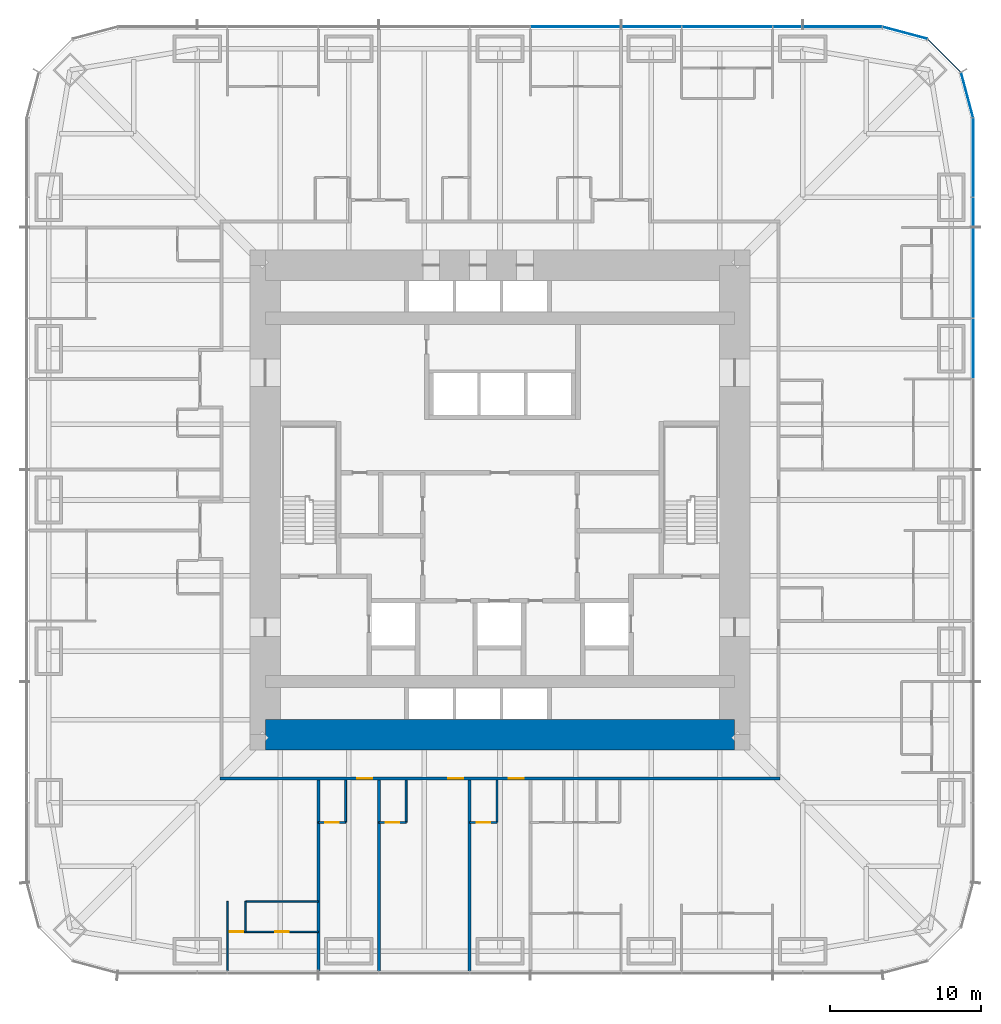
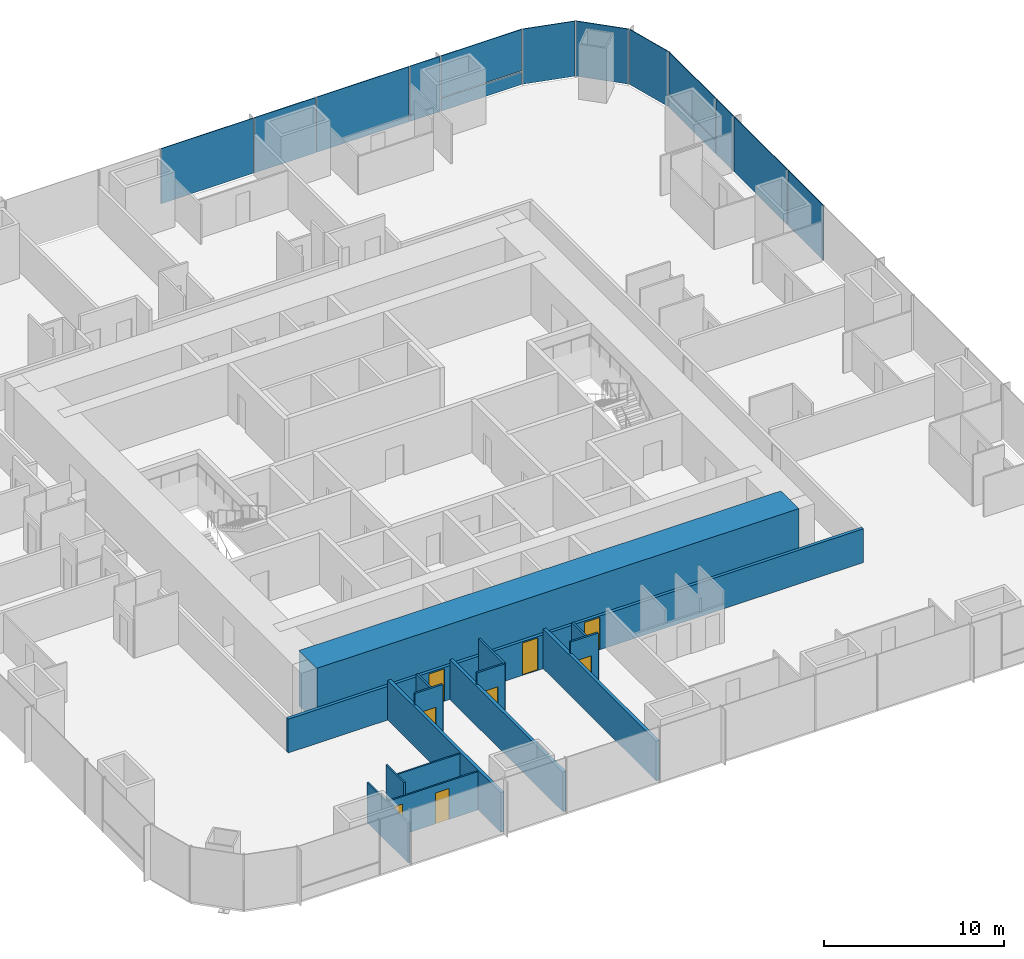
# One storey, part 11 of 17: 15 walls, 14 plates, 8 doors, 8 openings, 3 elements without a shape of their own.
"""IFC4 building model written with IfcOpenShell, lengths in metres."""

from ifc_helpers import new_model, si_unit, direction, frame, frame_2d, origin, origin_2d, place, context, subcontext, project, spatial, rectangle, extrude, material, layer, layer_set, type_object, element, fill, aggregate, save


model = new_model("IFC4")

# Units and contexts
model_context = context("Model", 3, precision=1e-05, world=origin(), true_north=direction((0.0, 1.0)))
body_context = subcontext(model_context, "Body", "Model", "MODEL_VIEW")
ifc_project = project(units=[si_unit("LENGTHUNIT", "METRE"), si_unit("AREAUNIT", "SQUARE_METRE"), si_unit("VOLUMEUNIT", "CUBIC_METRE"), si_unit("PLANEANGLEUNIT", "RADIAN"), si_unit("MASSUNIT", "GRAM", prefix="KILO")], contexts=[model_context])

# Site, building, storey
site_placement = place(None, origin())
site = spatial("IfcSite", under=ifc_project, at=site_placement, CompositionType="ELEMENT")
building_placement = place(site_placement, origin())
building = spatial("IfcBuilding", under=site, at=building_placement, Name="Khuree Lantern Residences", CompositionType="ELEMENT")
storey_placement = place(building_placement, frame((0.0, 0.0, 73.5)))
storey = spatial("IfcBuildingStorey", under=building, at=storey_placement, Name="L18", CompositionType="ELEMENT", Elevation=73.5)

# Curtain wall, plates
ifc_material_1 = material(Name="Bronze anodised aluminium", Category="aluminium")
curtain_wall_type_1 = type_object("IfcCurtainWallType", Name="CW-T2 TOWER CORNER CURTAIN WALL", PredefinedType="USERDEFINED", material=ifc_material_1)
curtain_wall_1_placement = place(storey_placement, origin())
curtain_wall_1 = element("IfcCurtainWall", 1, at=curtain_wall_1_placement, inside=storey, type_object=curtain_wall_type_1, Name="L18 NORTH-EAST CORNER CURTAIN WALL", ObjectType="Faceted corner curtain wall", PredefinedType="USERDEFINED")
ifc_material_2 = material(Name="Bronze tinted triple glazing", Category="glass")
ifc_layer_1 = layer(ifc_material_2, 0.048095703125)
ifc_layer_set_1 = layer_set([ifc_layer_1], Name="FACET PANEL P4")
plate_type_1 = type_object("IfcPlateType", Name="FACET PANEL P4", PredefinedType="CURTAIN_PANEL", material=ifc_layer_set_1)
plate_1_placement = place(storey_placement, frame((30.8486328125, 26.748046875, 0.0), z_axis=(0.0, 0.0, 1.0), x_axis=(-0.258819172081, 0.965925792265, 0.0)))
plate_1 = element("IfcPlate", 2, at=plate_1_placement, type_object=plate_type_1, Name="L18 NORTH-EAST CORNER PANEL 15.1", PredefinedType="CURTAIN_PANEL", context=body_context, shape_type="SweptSolid", body=[
    extrude(rectangle(XDim=3.02978515625, YDim=0.048095703125, at=origin_2d()), origin(), (0.0, 0.0, 1.0), 3.75),
])
plate_2_placement = place(storey_placement, frame((29.34814453125, 29.34814453125, 0.0), z_axis=(0.0, 0.0, 1.0), x_axis=(-0.707106781187, 0.707106781187, 0.0)))
plate_2 = element("IfcPlate", 3, at=plate_2_placement, type_object=plate_type_1, Name="L18 NORTH-EAST CORNER PANEL 16.1", PredefinedType="CURTAIN_PANEL", context=body_context, shape_type="SweptSolid", body=[
    extrude(rectangle(XDim=3.025634765625, YDim=0.048095703125, at=origin_2d()), origin(), (0.0, 0.0, 1.0), 3.75),
])
plate_3_placement = place(storey_placement, frame((26.748046875, 30.8486328125, 0.0), z_axis=(0.0, 0.0, 1.0), x_axis=(-0.965925792265, 0.258819172081, 0.0)))
plate_3 = element("IfcPlate", 4, at=plate_3_placement, type_object=plate_type_1, Name="L18 NORTH-EAST CORNER PANEL 17.1", PredefinedType="CURTAIN_PANEL", context=body_context, shape_type="SweptSolid", body=[
    extrude(rectangle(XDim=3.02978515625, YDim=0.048095703125, at=origin_2d()), origin(), (0.0, 0.0, 1.0), 3.75),
])
aggregate(curtain_wall_1, [plate_1, plate_2, plate_3])

# Curtain wall, plate
curtain_wall_type_2 = type_object("IfcCurtainWallType", Name="CW-T1 TOWER FACE CURTAIN WALL", PredefinedType="USERDEFINED", material=ifc_material_1)
curtain_wall_2_placement = place(storey_placement, origin())
curtain_wall_2 = element("IfcCurtainWall", 5, at=curtain_wall_2_placement, inside=storey, type_object=curtain_wall_type_2, Name="L18 EAST FACE CURTAIN WALL", ObjectType="Stick-built curtain wall", PredefinedType="USERDEFINED")
ifc_material_3 = material(Name="Bronze tinted triple glazing with a ceramic-fritted spandrel band", Category="glass")
ifc_layer_2 = layer(ifc_material_3, 0.048095703125)
ifc_layer_set_2 = layer_set([ifc_layer_2], Name="FIXED LIGHT PANEL P11")
plate_type_2 = type_object("IfcPlateType", Name="FIXED LIGHT PANEL P11", PredefinedType="CURTAIN_PANEL", material=ifc_layer_set_2)
plate_4_placement = place(storey_placement, frame((31.25, 15.0, 0.0), z_axis=(0.0, 0.0, 1.0), x_axis=(0.0, 1.0, 0.0)))
plate_4 = element("IfcPlate", 6, at=plate_4_placement, type_object=plate_type_2, Name="L18 EAST FACE PANEL 12.1", PredefinedType="CURTAIN_PANEL", context=body_context, shape_type="SweptSolid", body=[
    extrude(rectangle(XDim=5.93505859375, YDim=0.048095703125, at=origin_2d()), origin(), (0.0, 0.0, 1.0), 3.75),
])

# Curtain wall, plates
curtain_wall_3_placement = place(storey_placement, origin())
curtain_wall_3 = element("IfcCurtainWall", 7, at=curtain_wall_3_placement, inside=storey, type_object=curtain_wall_type_2, Name="L18 NORTH FACE CURTAIN WALL", ObjectType="Stick-built curtain wall", PredefinedType="USERDEFINED")
plate_5_placement = place(storey_placement, frame((15.0, 31.25, 0.0), z_axis=(0.0, 0.0, 1.0), x_axis=(-1.0, 0.0, 0.0)))
plate_5 = element("IfcPlate", 8, at=plate_5_placement, type_object=plate_type_2, Name="L18 NORTH FACE PANEL 20.1", PredefinedType="CURTAIN_PANEL", context=body_context, shape_type="SweptSolid", body=[
    extrude(rectangle(XDim=5.93505859375, YDim=0.048095703125, at=origin_2d()), origin(), (0.0, 0.0, 1.0), 3.75),
])
plate_6_placement = place(storey_placement, frame((5.0, 31.25, 0.0), z_axis=(0.0, 0.0, 1.0), x_axis=(-1.0, 0.0, 0.0)))
plate_6 = element("IfcPlate", 9, at=plate_6_placement, type_object=plate_type_2, Name="L18 NORTH FACE PANEL 22.1", PredefinedType="CURTAIN_PANEL", context=body_context, shape_type="SweptSolid", body=[
    extrude(rectangle(XDim=5.93505859375, YDim=0.048095703125, at=origin_2d()), origin(), (0.0, 0.0, 1.0), 3.75),
])

# Plate
ifc_material_4 = material(Name="Bronze tinted triple glazing, two aluminium-framed sashes in one frame", Category="aluminium")
ifc_layer_3 = layer(ifc_material_4, 0.048095703125)
ifc_layer_set_3 = layer_set([ifc_layer_3], Name="SASH PAIR PANEL P12")
plate_type_3 = type_object("IfcPlateType", Name="SASH PAIR PANEL P12", PredefinedType="CURTAIN_PANEL", material=ifc_layer_set_3)
plate_7_placement = place(storey_placement, frame((31.25, 10.0, 0.0), z_axis=(0.0, 0.0, 1.0), x_axis=(0.0, 1.0, 0.0)))
plate_7 = element("IfcPlate", 10, at=plate_7_placement, type_object=plate_type_3, Name="L18 EAST FACE PANEL 11.1", PredefinedType="CURTAIN_PANEL", context=body_context, shape_type="SweptSolid", body=[
    extrude(rectangle(XDim=3.93505859375, YDim=0.048095703125, at=origin_2d()), origin(), (0.0, 0.0, 1.0), 3.75),
])

plate_8_placement = place(storey_placement, frame((10.0, 31.25, 0.0), z_axis=(0.0, 0.0, 1.0), x_axis=(-1.0, 0.0, 0.0)))
plate_8 = element("IfcPlate", 11, at=plate_8_placement, type_object=plate_type_3, Name="L18 NORTH FACE PANEL 21.1", PredefinedType="CURTAIN_PANEL", context=body_context, shape_type="SweptSolid", body=[
    extrude(rectangle(XDim=3.93505859375, YDim=0.048095703125, at=origin_2d()), origin(), (0.0, 0.0, 1.0), 3.75),
])

ifc_material_5 = material(Name="Bronze tinted triple glazing, aluminium-framed sash", Category="aluminium")
ifc_layer_4 = layer(ifc_material_5, 0.048095703125)
ifc_layer_set_4 = layer_set([ifc_layer_4], Name="SASH PANEL P3")
plate_type_4 = type_object("IfcPlateType", Name="SASH PANEL P3", PredefinedType="CURTAIN_PANEL", material=ifc_layer_set_4)
plate_9_placement = place(storey_placement, frame((31.25, 19.0, 0.0), z_axis=(0.0, 0.0, 1.0), x_axis=(0.0, 1.0, 0.0)))
plate_9 = element("IfcPlate", 12, at=plate_9_placement, type_object=plate_type_4, Name="L18 EAST FACE PANEL 13.1", PredefinedType="CURTAIN_PANEL", context=body_context, shape_type="SweptSolid", body=[
    extrude(rectangle(XDim=1.93505859375, YDim=0.048095703125, at=origin_2d()), origin(), (0.0, 0.0, 1.0), 3.75),
])

plate_10_placement = place(storey_placement, frame((19.0, 31.25, 0.0), z_axis=(0.0, 0.0, 1.0), x_axis=(-1.0, 0.0, 0.0)))
plate_10 = element("IfcPlate", 13, at=plate_10_placement, type_object=plate_type_4, Name="L18 NORTH FACE PANEL 19.1", PredefinedType="CURTAIN_PANEL", context=body_context, shape_type="SweptSolid", body=[
    extrude(rectangle(XDim=1.93505859375, YDim=0.048095703125, at=origin_2d()), origin(), (0.0, 0.0, 1.0), 3.75),
])

ifc_material_6 = material(Name="Bronze anodised aluminium insulated spandrel", Category="aluminium")
ifc_layer_5 = layer(ifc_material_6, 0.06005859375)
ifc_layer_set_5 = layer_set([ifc_layer_5], Name="SPANDREL PANEL P2")
plate_type_5 = type_object("IfcPlateType", Name="SPANDREL PANEL P2", PredefinedType="CURTAIN_PANEL", material=ifc_layer_set_5)
plate_11_placement = place(storey_placement, frame((31.25, 22.622802734375, 0.0), z_axis=(0.0, 0.0, 1.0), x_axis=(0.0, 1.0, 0.0)))
plate_11 = element("IfcPlate", 14, at=plate_11_placement, type_object=plate_type_5, Name="L18 EAST FACE PANEL 14.1", PredefinedType="CURTAIN_PANEL", context=body_context, shape_type="SweptSolid", body=[
    extrude(rectangle(XDim=5.1806640625, YDim=0.06005859375, at=origin_2d()), origin(), (0.0, 0.0, 1.0), 0.867431640625),
])

plate_12_placement = place(storey_placement, frame((22.622802734375, 31.25, 0.0), z_axis=(0.0, 0.0, 1.0), x_axis=(-1.0, 0.0, 0.0)))
plate_12 = element("IfcPlate", 15, at=plate_12_placement, type_object=plate_type_5, Name="L18 NORTH FACE PANEL 18.1", PredefinedType="CURTAIN_PANEL", context=body_context, shape_type="SweptSolid", body=[
    extrude(rectangle(XDim=5.1806640625, YDim=0.06005859375, at=origin_2d()), origin(), (0.0, 0.0, 1.0), 0.867431640625),
])

ifc_layer_6 = layer(ifc_material_2, 0.048095703125)
ifc_layer_set_6 = layer_set([ifc_layer_6], Name="VISION PANEL P1")
plate_type_6 = type_object("IfcPlateType", Name="VISION PANEL P1", PredefinedType="CURTAIN_PANEL", material=ifc_layer_set_6)
plate_13_placement = place(storey_placement, frame((31.25, 22.623291015625, 0.9326171875), z_axis=(0.0, 0.0, 1.0), x_axis=(0.0, 1.0, 0.0)))
plate_13 = element("IfcPlate", 16, at=plate_13_placement, type_object=plate_type_6, Name="L18 EAST FACE PANEL 14.2", PredefinedType="CURTAIN_PANEL", context=body_context, shape_type="SweptSolid", body=[
    extrude(rectangle(XDim=5.181640625, YDim=0.048095703125, at=origin_2d()), origin(), (0.0, 0.0, 1.0), 2.8173828125),
])

aggregate(curtain_wall_2, [plate_7, plate_4, plate_9, plate_11, plate_13])

plate_14_placement = place(storey_placement, frame((22.623291015625, 31.25, 0.9326171875), z_axis=(0.0, 0.0, 1.0), x_axis=(-1.0, 0.0, 0.0)))
plate_14 = element("IfcPlate", 17, at=plate_14_placement, type_object=plate_type_6, Name="L18 NORTH FACE PANEL 18.2", PredefinedType="CURTAIN_PANEL", context=body_context, shape_type="SweptSolid", body=[
    extrude(rectangle(XDim=5.181640625, YDim=0.048095703125, at=origin_2d()), origin(), (0.0, 0.0, 1.0), 2.8173828125),
])

aggregate(curtain_wall_3, [plate_12, plate_14, plate_10, plate_5, plate_8, plate_6])

# Wall, opening, door
ifc_material_7 = material(Name="Moisture-resistant gypsum board on steel studs", Category="steel")
ifc_layer_7 = layer(ifc_material_7, 0.125)
ifc_layer_set_7 = layer_set([ifc_layer_7], Name="BATHROOM WALL BTW125")
wall_type_1 = type_object("IfcWallType", Name="BATHROOM WALL BTW125", PredefinedType="PARTITIONING", material=ifc_layer_set_7)
wall_1_placement = place(storey_placement, frame((-12.0, -21.300048828125, 0.0), z_axis=(0.0, 0.0, 1.0), x_axis=(1.0, 0.0, 0.0)))
wall_1 = element("IfcWall", 18, at=wall_1_placement, inside=storey, type_object=wall_type_1, Name="L18 BATHROOM WALL 10", PredefinedType="PARTITIONING", context=body_context, shape_type="SweptSolid", body=[
    extrude(rectangle(XDim=1.800048828125, YDim=0.125, at=frame_2d((0.89990234375, 0.0))), origin(), (0.0, 0.0, 1.0), 3.5),
])
opening_1_placement = place(wall_1_placement, frame((0.449951171875, 0.0, 0.0)))
opening_1 = element("IfcOpeningElement", 19, at=opening_1_placement, cuts=wall_1, Name="Opening 18-054", PredefinedType="OPENING", context=body_context, shape_type="SweptSolid", body=[
    extrude(rectangle(XDim=0.89990234375, YDim=2.10009765625, at=frame_2d((0.449951171875, 1.050048828125))), frame((0.0, 0.072509765625, 0.0), z_axis=(0.0, -1.0, 0.0), x_axis=(1.0, 0.0, 0.0)), (0.0, 0.0, 1.0), 0.14501953125),
])
ifc_material_8 = material(Name="Timber door leaf in hardwood frame", Category="wood")
door_type_1 = type_object("IfcDoorType", Name="BATHROOM DOOR 900X2100", OperationType="SINGLE_SWING_LEFT", PredefinedType="DOOR", material=ifc_material_8)
door_1_placement = place(opening_1_placement, origin())
door_1 = element("IfcDoor", 20, at=door_1_placement, inside=storey, type_object=door_type_1, Name="Bathroom door 18-054", OperationType="SINGLE_SWING_LEFT", OverallHeight=2.10009765625, OverallWidth=0.89990234375, PredefinedType="DOOR", context=body_context, shape_type="SweptSolid", body=[
    extrude(rectangle(XDim=0.89990234375, YDim=2.10009765625, at=frame_2d((0.449951171875, 1.050048828125))), frame((0.0, 0.02490234375, 0.0), z_axis=(0.0, -1.0, 0.0), x_axis=(1.0, 0.0, 0.0)), (0.0, 0.0, 1.0), 0.050048828125),
])
fill(opening_1, door_1)

# Wall
wall_2_placement = place(storey_placement, frame((-10.199951171875, -18.5, 0.0), z_axis=(0.0, 0.0, 1.0), x_axis=(0.0, -1.0, 0.0)))
element("IfcWall", 21, at=wall_2_placement, inside=storey, type_object=wall_type_1, Name="L18 BATHROOM WALL 10", PredefinedType="PARTITIONING", context=body_context, shape_type="SweptSolid", body=[
    extrude(rectangle(XDim=2.800048828125, YDim=0.125, at=frame_2d((1.39990234375, 0.0))), origin(), (0.0, 0.0, 1.0), 2.491943359375),
])

# Wall, opening, door
wall_3_placement = place(storey_placement, frame((-8.0, -21.300048828125, 0.0), z_axis=(0.0, 0.0, 1.0), x_axis=(1.0, 0.0, 0.0)))
wall_3 = element("IfcWall", 22, at=wall_3_placement, inside=storey, type_object=wall_type_1, Name="L18 BATHROOM WALL 11", PredefinedType="PARTITIONING", context=body_context, shape_type="SweptSolid", body=[
    extrude(rectangle(XDim=1.800048828125, YDim=0.125, at=frame_2d((0.89990234375, 0.0))), origin(), (0.0, 0.0, 1.0), 3.5),
])
opening_2_placement = place(wall_3_placement, frame((0.449951171875, 0.0, 0.0)))
opening_2 = element("IfcOpeningElement", 23, at=opening_2_placement, cuts=wall_3, Name="Opening 18-056", PredefinedType="OPENING", context=body_context, shape_type="SweptSolid", body=[
    extrude(rectangle(XDim=0.89990234375, YDim=2.10009765625, at=frame_2d((0.449951171875, 1.050048828125))), frame((0.0, 0.072509765625, 0.0), z_axis=(0.0, -1.0, 0.0), x_axis=(1.0, 0.0, 0.0)), (0.0, 0.0, 1.0), 0.14501953125),
])
door_2_placement = place(opening_2_placement, origin())
door_2 = element("IfcDoor", 24, at=door_2_placement, inside=storey, type_object=door_type_1, Name="Bathroom door 18-056", OperationType="SINGLE_SWING_LEFT", OverallHeight=2.10009765625, OverallWidth=0.89990234375, PredefinedType="DOOR", context=body_context, shape_type="SweptSolid", body=[
    extrude(rectangle(XDim=0.89990234375, YDim=2.10009765625, at=frame_2d((0.449951171875, 1.050048828125))), frame((0.0, 0.02490234375, 0.0), z_axis=(0.0, -1.0, 0.0), x_axis=(1.0, 0.0, 0.0)), (0.0, 0.0, 1.0), 0.050048828125),
])
fill(opening_2, door_2)

# Wall
wall_4_placement = place(storey_placement, frame((-6.199951171875, -18.5, 0.0), z_axis=(0.0, 0.0, 1.0), x_axis=(0.0, -1.0, 0.0)))
element("IfcWall", 25, at=wall_4_placement, inside=storey, type_object=wall_type_1, Name="L18 BATHROOM WALL 11", PredefinedType="PARTITIONING", context=body_context, shape_type="SweptSolid", body=[
    extrude(rectangle(XDim=2.800048828125, YDim=0.125, at=frame_2d((1.39990234375, 0.0))), origin(), (0.0, 0.0, 1.0), 3.5),
])

# Wall, opening, door
wall_5_placement = place(storey_placement, frame((-2.0, -21.300048828125, 0.0), z_axis=(0.0, 0.0, 1.0), x_axis=(1.0, 0.0, 0.0)))
wall_5 = element("IfcWall", 26, at=wall_5_placement, inside=storey, type_object=wall_type_1, Name="L18 BATHROOM WALL 12", PredefinedType="PARTITIONING", context=body_context, shape_type="SweptSolid", body=[
    extrude(rectangle(XDim=1.800048828125, YDim=0.125, at=frame_2d((0.89990234375, 0.0))), origin(), (0.0, 0.0, 1.0), 3.5),
])
opening_3_placement = place(wall_5_placement, frame((0.449951171875, 0.0, 0.0)))
opening_3 = element("IfcOpeningElement", 27, at=opening_3_placement, cuts=wall_5, Name="Opening 18-058", PredefinedType="OPENING", context=body_context, shape_type="SweptSolid", body=[
    extrude(rectangle(XDim=0.89990234375, YDim=2.10009765625, at=frame_2d((0.449951171875, 1.050048828125))), frame((0.0, 0.072509765625, 0.0), z_axis=(0.0, -1.0, 0.0), x_axis=(1.0, 0.0, 0.0)), (0.0, 0.0, 1.0), 0.14501953125),
])
door_3_placement = place(opening_3_placement, origin())
door_3 = element("IfcDoor", 28, at=door_3_placement, inside=storey, type_object=door_type_1, Name="Bathroom door 18-058", OperationType="SINGLE_SWING_LEFT", OverallHeight=2.10009765625, OverallWidth=0.89990234375, PredefinedType="DOOR", context=body_context, shape_type="SweptSolid", body=[
    extrude(rectangle(XDim=0.89990234375, YDim=2.10009765625, at=frame_2d((0.449951171875, 1.050048828125))), frame((0.0, 0.02490234375, 0.0), z_axis=(0.0, -1.0, 0.0), x_axis=(1.0, 0.0, 0.0)), (0.0, 0.0, 1.0), 0.050048828125),
])
fill(opening_3, door_3)

# Wall
wall_6_placement = place(storey_placement, frame((-0.199951171875, -18.5, 0.0), z_axis=(0.0, 0.0, 1.0), x_axis=(0.0, -1.0, 0.0)))
element("IfcWall", 29, at=wall_6_placement, inside=storey, type_object=wall_type_1, Name="L18 BATHROOM WALL 12", PredefinedType="PARTITIONING", context=body_context, shape_type="SweptSolid", body=[
    extrude(rectangle(XDim=2.800048828125, YDim=0.125, at=frame_2d((1.39990234375, 0.0))), origin(), (0.0, 0.0, 1.0), 2.491943359375),
])

# Wall, openings, doors
ifc_material_9 = material(Name="Gypsum board on steel studs", Category="steel")
ifc_layer_8 = layer(ifc_material_9, 0.199951171875)
ifc_layer_set_8 = layer_set([ifc_layer_8], Name="CORRIDOR WALL CRW200 EI 60")
wall_type_2 = type_object("IfcWallType", Name="CORRIDOR WALL CRW200 EI 60", PredefinedType="PARTITIONING", material=ifc_layer_set_8)
wall_7_placement = place(storey_placement, frame((18.5, -18.39990234375, 0.0), z_axis=(0.0, 0.0, 1.0), x_axis=(-1.0, 0.0, 0.0)))
wall_7 = element("IfcWall", 30, at=wall_7_placement, inside=storey, type_object=wall_type_2, Name="L18 CORRIDOR WALL SOUTH 1", PredefinedType="PARTITIONING", context=body_context, shape_type="SweptSolid", body=[
    extrude(rectangle(XDim=37.0, YDim=0.199951171875, at=frame_2d((18.5, 0.0))), origin(), (0.0, 0.0, 1.0), 2.300048828125),
])
opening_4_placement = place(wall_7_placement, frame((26.929931640625, 0.0, 0.0)))
opening_4 = element("IfcOpeningElement", 31, at=opening_4_placement, cuts=wall_7, Name="Opening 18-055", PredefinedType="OPENING", context=body_context, shape_type="SweptSolid", body=[
    extrude(rectangle(XDim=1.0, YDim=2.199951171875, at=frame_2d((0.5, 1.10009765625))), frame((0.0, 0.10986328125, 0.0), z_axis=(0.0, -1.0, 0.0), x_axis=(1.0, 0.0, 0.0)), (0.0, 0.0, 1.0), 0.219970703125),
])
opening_5_placement = place(wall_7_placement, frame((20.929931640625, 0.0, 0.0)))
opening_5 = element("IfcOpeningElement", 32, at=opening_5_placement, cuts=wall_7, Name="Opening 18-057", PredefinedType="OPENING", context=body_context, shape_type="SweptSolid", body=[
    extrude(rectangle(XDim=1.0, YDim=2.199951171875, at=frame_2d((0.5, 1.10009765625))), frame((0.0, 0.10986328125, 0.0), z_axis=(0.0, -1.0, 0.0), x_axis=(1.0, 0.0, 0.0)), (0.0, 0.0, 1.0), 0.219970703125),
])
opening_6_placement = place(wall_7_placement, frame((16.929931640625, 0.0, 0.0)))
opening_6 = element("IfcOpeningElement", 33, at=opening_6_placement, cuts=wall_7, Name="Opening 18-059", PredefinedType="OPENING", context=body_context, shape_type="SweptSolid", body=[
    extrude(rectangle(XDim=1.0, YDim=2.199951171875, at=frame_2d((0.5, 1.10009765625))), frame((0.0, 0.10986328125, 0.0), z_axis=(0.0, -1.0, 0.0), x_axis=(1.0, 0.0, 0.0)), (0.0, 0.0, 1.0), 0.219970703125),
])
door_type_2 = type_object("IfcDoorType", Name="APARTMENT ENTRANCE DOOR 1000X2200 EI 30S", OperationType="SINGLE_SWING_LEFT", PredefinedType="DOOR", material=ifc_material_8)
door_4_placement = place(opening_4_placement, origin())
door_4 = element("IfcDoor", 34, at=door_4_placement, inside=storey, type_object=door_type_2, Name="Apartment 10 entrance door 18-055", OperationType="SINGLE_SWING_LEFT", OverallHeight=2.199951171875, OverallWidth=1.0, PredefinedType="DOOR", context=body_context, shape_type="SweptSolid", body=[
    extrude(rectangle(XDim=1.0, YDim=2.199951171875, at=frame_2d((0.5, 1.10009765625))), frame((0.0, 0.02490234375, 0.0), z_axis=(0.0, -1.0, 0.0), x_axis=(1.0, 0.0, 0.0)), (0.0, 0.0, 1.0), 0.050048828125),
])
fill(opening_4, door_4)
door_5_placement = place(opening_5_placement, origin())
door_5 = element("IfcDoor", 35, at=door_5_placement, inside=storey, type_object=door_type_2, Name="Apartment 11 entrance door 18-057", OperationType="SINGLE_SWING_LEFT", OverallHeight=2.199951171875, OverallWidth=1.0, PredefinedType="DOOR", context=body_context, shape_type="SweptSolid", body=[
    extrude(rectangle(XDim=1.0, YDim=2.199951171875, at=frame_2d((0.5, 1.10009765625))), frame((0.0, 0.02490234375, 0.0), z_axis=(0.0, -1.0, 0.0), x_axis=(1.0, 0.0, 0.0)), (0.0, 0.0, 1.0), 0.050048828125),
])
fill(opening_5, door_5)
door_6_placement = place(opening_6_placement, origin())
door_6 = element("IfcDoor", 36, at=door_6_placement, inside=storey, type_object=door_type_2, Name="Apartment 12 entrance door 18-059", OperationType="SINGLE_SWING_LEFT", OverallHeight=2.199951171875, OverallWidth=1.0, PredefinedType="DOOR", context=body_context, shape_type="SweptSolid", body=[
    extrude(rectangle(XDim=1.0, YDim=2.199951171875, at=frame_2d((0.5, 1.10009765625))), frame((0.0, 0.02490234375, 0.0), z_axis=(0.0, -1.0, 0.0), x_axis=(1.0, 0.0, 0.0)), (0.0, 0.0, 1.0), 0.050048828125),
])
fill(opening_6, door_6)

# Walls
ifc_material_10 = material(Name="Concrete C70/85", Category="concrete")
ifc_layer_9 = layer(ifc_material_10, 2.0)
ifc_layer_set_9 = layer_set([ifc_layer_9], Name="CW2000-C70 CORE WALL C70 2000")
wall_type_3 = type_object("IfcWallType", Name="CW2000-C70 CORE WALL C70 2000", PredefinedType="SHEAR", material=ifc_layer_set_9)
wall_8_placement = place(storey_placement, frame((-15.5, -15.5, -0.25), z_axis=(0.0, 0.0, 1.0), x_axis=(1.0, 0.0, 0.0)))
element("IfcWall", 37, at=wall_8_placement, inside=storey, type_object=wall_type_3, Name="Core wall S", PredefinedType="SHEAR", context=body_context, shape_type="SweptSolid", body=[
    extrude(rectangle(XDim=31.0, YDim=2.0, at=frame_2d((15.5, 0.0))), origin(), (0.0, 0.0, 1.0), 3.75),
])
ifc_layer_10 = layer(ifc_material_9, 0.199951171875)
ifc_layer_set_10 = layer_set([ifc_layer_10], Name="DEMISING WALL DMW200 EI 90")
wall_type_4 = type_object("IfcWallType", Name="DEMISING WALL DMW200 EI 90", PredefinedType="PARTITIONING", material=ifc_layer_set_10)
for number, where, z_axis, x_axis, name in (
    (38, (-12.0, -18.5, 0.0), (0.0, 0.0, 1.0), (0.0, -1.0, 0.0), "L18 DEMISING WALL 10"),
    (39, (-8.0, -18.5, 0.0), (0.0, 0.0, 1.0), (0.0, -1.0, 0.0), "L18 DEMISING WALL 11"),
    (40, (-2.0, -18.5, 0.0), (0.0, 0.0, 1.0), (0.0, -1.0, 0.0), "L18 DEMISING WALL 12"),
):
    element("IfcWall", number, at=place(storey_placement, frame(where, z_axis=z_axis, x_axis=x_axis)), inside=storey, type_object=wall_type_4, Name=name, PredefinedType="PARTITIONING", context=body_context, shape_type="SweptSolid", body=[
        extrude(rectangle(XDim=12.60009765625, YDim=0.199951171875, at=frame_2d((6.300048828125, 0.0))), origin(), (0.0, 0.0, 1.0), 2.7099609375),
    ])
ifc_layer_11 = layer(ifc_material_9, 0.10009765625)
ifc_layer_set_11 = layer_set([ifc_layer_11], Name="PARTITION PT100")
wall_type_5 = type_object("IfcWallType", Name="PARTITION PT100", PredefinedType="PARTITIONING", material=ifc_layer_set_11)
wall_9_placement = place(storey_placement, frame((-18.0, -26.5166015625, 0.0), z_axis=(0.0, 0.0, 1.0), x_axis=(0.0, -1.0, 0.0)))
element("IfcWall", 41, at=wall_9_placement, inside=storey, type_object=wall_type_5, Name="L18 PARTITION 09", PredefinedType="PARTITIONING", context=body_context, shape_type="SweptSolid", body=[
    extrude(rectangle(XDim=4.58349609375, YDim=0.10009765625, at=frame_2d((2.291748046875, 0.0))), origin(), (0.0, 0.0, 1.0), 2.7099609375),
])

# Wall, openings, doors
wall_10_placement = place(storey_placement, frame((-18.0, -28.5166015625, 0.0), z_axis=(0.0, 0.0, 1.0), x_axis=(1.0, 0.0, 0.0)))
wall_10 = element("IfcWall", 42, at=wall_10_placement, inside=storey, type_object=wall_type_5, Name="L18 PARTITION 09", PredefinedType="PARTITIONING", context=body_context, shape_type="SweptSolid", body=[
    extrude(rectangle(XDim=6.0, YDim=0.10009765625, at=frame_2d((3.0, 0.0))), origin(), (0.0, 0.0, 1.0), 2.610107421875),
])
opening_7_placement = place(wall_10_placement, frame((0.14990234375, 0.0, 0.0)))
opening_7 = element("IfcOpeningElement", 43, at=opening_7_placement, cuts=wall_10, Name="Opening 18-050", PredefinedType="OPENING", context=body_context, shape_type="SweptSolid", body=[
    extrude(rectangle(XDim=0.89990234375, YDim=2.10009765625, at=frame_2d((0.449951171875, 1.050048828125))), frame((0.0, 0.06005859375, 0.0), z_axis=(0.0, -1.0, 0.0), x_axis=(1.0, 0.0, 0.0)), (0.0, 0.0, 1.0), 0.1201171875),
])
opening_8_placement = place(wall_10_placement, frame((3.14990234375, 0.0, 0.0)))
opening_8 = element("IfcOpeningElement", 44, at=opening_8_placement, cuts=wall_10, Name="Opening 18-051", PredefinedType="OPENING", context=body_context, shape_type="SweptSolid", body=[
    extrude(rectangle(XDim=0.89990234375, YDim=2.10009765625, at=frame_2d((0.449951171875, 1.050048828125))), frame((0.0, 0.06005859375, 0.0), z_axis=(0.0, -1.0, 0.0), x_axis=(1.0, 0.0, 0.0)), (0.0, 0.0, 1.0), 0.1201171875),
])
door_type_3 = type_object("IfcDoorType", Name="BEDROOM DOOR 900X2100", OperationType="SINGLE_SWING_LEFT", PredefinedType="DOOR", material=ifc_material_8)
door_7_placement = place(opening_7_placement, origin())
door_7 = element("IfcDoor", 45, at=door_7_placement, inside=storey, type_object=door_type_3, Name="Bedroom door 18-050", OperationType="SINGLE_SWING_LEFT", OverallHeight=2.10009765625, OverallWidth=0.89990234375, PredefinedType="DOOR", context=body_context, shape_type="SweptSolid", body=[
    extrude(rectangle(XDim=0.89990234375, YDim=2.10009765625, at=frame_2d((0.449951171875, 1.050048828125))), frame((0.0, 0.02490234375, 0.0), z_axis=(0.0, -1.0, 0.0), x_axis=(1.0, 0.0, 0.0)), (0.0, 0.0, 1.0), 0.050048828125),
])
fill(opening_7, door_7)
door_type_4 = type_object("IfcDoorType", Name="DOOR 900X2100", OperationType="SINGLE_SWING_LEFT", PredefinedType="DOOR", material=ifc_material_8)
door_8_placement = place(opening_8_placement, origin())
door_8 = element("IfcDoor", 46, at=door_8_placement, inside=storey, type_object=door_type_4, Name="Wardrobe door 18-051", OperationType="SINGLE_SWING_LEFT", OverallHeight=2.10009765625, OverallWidth=0.89990234375, PredefinedType="DOOR", context=body_context, shape_type="SweptSolid", body=[
    extrude(rectangle(XDim=0.89990234375, YDim=2.10009765625, at=frame_2d((0.449951171875, 1.050048828125))), frame((0.0, 0.02490234375, 0.0), z_axis=(0.0, -1.0, 0.0), x_axis=(1.0, 0.0, 0.0)), (0.0, 0.0, 1.0), 0.050048828125),
])
fill(opening_8, door_8)

# Walls
wall_11_placement = place(storey_placement, frame((-16.800048828125, -26.5166015625, 0.0), z_axis=(0.0, 0.0, 1.0), x_axis=(0.0, -1.0, 0.0)))
element("IfcWall", 47, at=wall_11_placement, inside=storey, type_object=wall_type_5, Name="L18 PARTITION 09", PredefinedType="PARTITIONING", context=body_context, shape_type="SweptSolid", body=[
    extrude(rectangle(XDim=2.0, YDim=0.10009765625, at=frame_2d((1.0, 0.0))), origin(), (0.0, 0.0, 1.0), 3.5),
])
wall_12_placement = place(storey_placement, frame((-16.800048828125, -26.5166015625, 0.0), z_axis=(0.0, 0.0, 1.0), x_axis=(1.0, 0.0, 0.0)))
element("IfcWall", 48, at=wall_12_placement, inside=storey, type_object=wall_type_5, Name="L18 PARTITION 09", PredefinedType="PARTITIONING", context=body_context, shape_type="SweptSolid", body=[
    extrude(rectangle(XDim=4.800048828125, YDim=0.10009765625, at=frame_2d((2.39990234375, 0.0))), origin(), (0.0, 0.0, 1.0), 2.610107421875),
])

save(model, "model.ifc")
